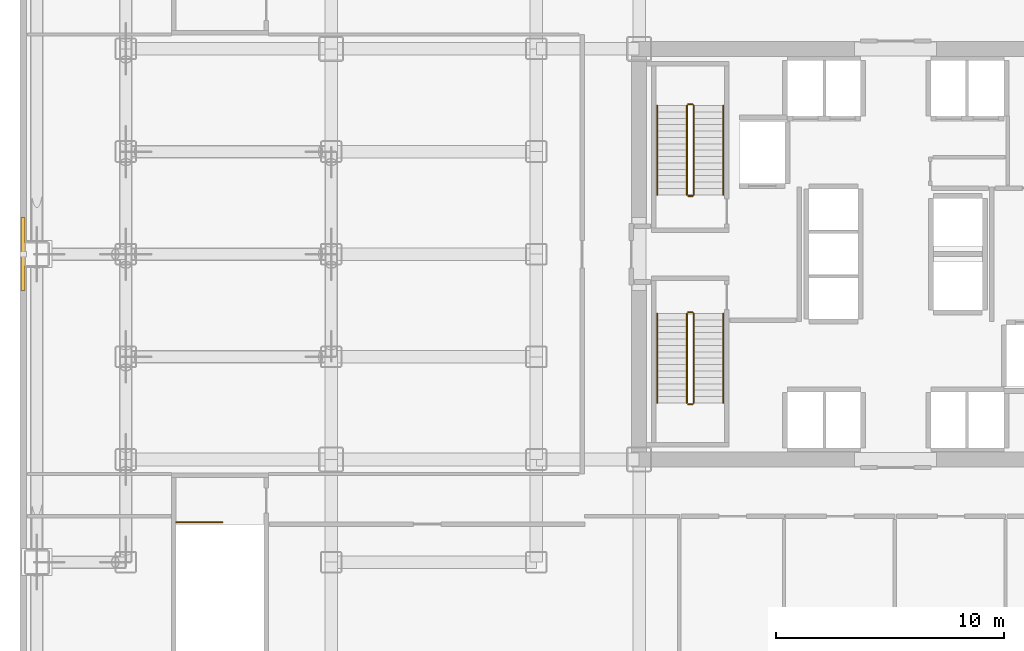
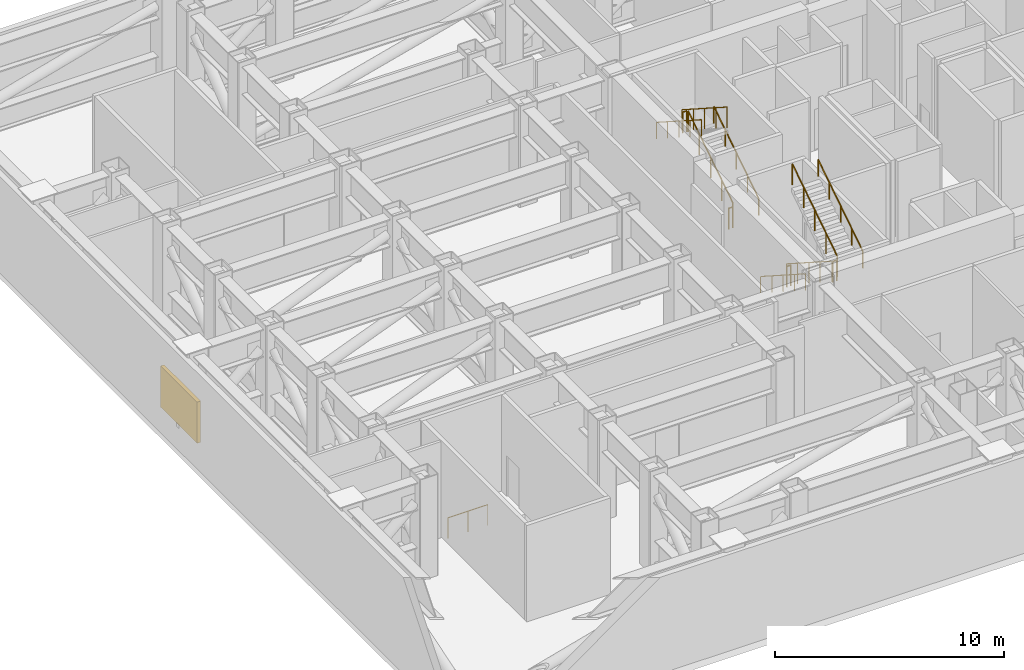
# One storey, part 15 of 17: 13 railings, 1 shading device.
"""IFC4 building model written with IfcOpenShell, lengths in metres."""

import ifcopenshell
import ifcopenshell.guid

model = None  # the IFC model being written
_history = None  # IfcOwnerHistory: only IFC2X3 demands one
_inside = {}  # id of a spatial element -> (the spatial element, [elements in it])
_under = {}  # id of a project, library or spatial element -> (it, [spatial elements below it])
_declared = {}  # id of a project -> (the project, [libraries it declares])
_typed = {}  # id of a type object -> (the type object, [elements of that type])
_made_of = {}  # id of a material, layer set ... -> (it, [elements and type objects made of it])


def new_model(schema):
    """Start an empty IFC model of exactly this schema.

    Asked for "IFC4X3", IfcOpenShell would pick the latest addendum, in which some entities
    have other attributes; the version numbers below select the first issue.
    IFC2X3 requires an IfcOwnerHistory on every rooted entity: one is made here for all.
    """
    global model, _history
    if schema == "IFC4X3":
        model = ifcopenshell.file(schema_version=(4, 3, 0, 0))
    else:
        model = ifcopenshell.file(schema=schema)
    _inside.clear()
    _under.clear()
    _declared.clear()
    _typed.clear()
    _made_of.clear()
    _history = None
    if model.schema == "IFC2X3":
        org = make("IfcOrganization", Name="unknown")
        user = make(
            "IfcPersonAndOrganization",
            ThePerson=make("IfcPerson", FamilyName="unknown"),
            TheOrganization=org,
        )
        app = make(
            "IfcApplication",
            ApplicationDeveloper=org,
            Version="unknown",
            ApplicationFullName="unknown",
            ApplicationIdentifier="unknown",
        )
        _history = make(
            "IfcOwnerHistory",
            OwningUser=user,
            OwningApplication=app,
            ChangeAction="ADDED",
            CreationDate=0,
        )
    return model


def make(cls, **values):
    """One entity of the class cls with the attributes given. An attribute that is None is left unset."""
    return model.create_entity(
        cls, **{name: value for name, value in values.items() if value is not None}
    )


def rooted(cls, **values):
    """An entity with a GlobalId (a new one), such as an element, a storey or a relation."""
    return make(cls, GlobalId=ifcopenshell.guid.new(), OwnerHistory=_history, **values)


def si_unit(unit_type, name, prefix=None):
    """IfcSIUnit, for example si_unit("LENGTHUNIT", "METRE", prefix="MILLI")."""
    return make("IfcSIUnit", UnitType=unit_type, Prefix=prefix, Name=name)


def assignment(units):
    """IfcUnitAssignment: the units of a project."""
    return None if units is None else make("IfcUnitAssignment", Units=units)


def point(xyz):
    """IfcCartesianPoint."""
    return None if xyz is None else make("IfcCartesianPoint", Coordinates=xyz)


def direction(xyz):
    """IfcDirection."""
    return None if xyz is None else make("IfcDirection", DirectionRatios=xyz)


def frame(location, z_axis=None, x_axis=None):
    """IfcAxis2Placement3D, a coordinate frame: its origin and axes. An axis left out is left unset."""
    return make(
        "IfcAxis2Placement3D",
        Location=point(location),
        Axis=direction(z_axis),
        RefDirection=direction(x_axis),
    )


def frame_2d(location, x_axis=None):
    """IfcAxis2Placement2D, a coordinate frame in the plane: its origin and x axis."""
    return make(
        "IfcAxis2Placement2D", Location=point(location), RefDirection=direction(x_axis)
    )


def origin():
    """The frame at (0, 0, 0) with its axes left unset."""
    return frame((0.0, 0.0, 0.0))


def origin_2d():
    """The frame at (0, 0) in the plane with its x axis left unset."""
    return frame_2d((0.0, 0.0))


def place(relative_to, where):
    """IfcLocalPlacement: puts the frame where relative to a parent placement (None: the world)."""
    return make(
        "IfcLocalPlacement", PlacementRelTo=relative_to, RelativePlacement=where
    )


def context(
    kind, dimensions, precision=None, world=None, true_north=None, identifier=None
):
    """IfcGeometricRepresentationContext, for example the 3D "Model" context."""
    return make(
        "IfcGeometricRepresentationContext",
        ContextIdentifier=identifier,
        ContextType=kind,
        CoordinateSpaceDimension=dimensions,
        Precision=precision,
        WorldCoordinateSystem=world,
        TrueNorth=true_north,
    )


def subcontext(parent, identifier, kind, view, scale=None):
    """IfcGeometricRepresentationSubContext, for example "Body" below "Model"."""
    return make(
        "IfcGeometricRepresentationSubContext",
        ContextIdentifier=identifier,
        ContextType=kind,
        ParentContext=parent,
        TargetScale=scale,
        TargetView=view,
    )


def project(units=None, contexts=None):
    """IfcProject with its units and contexts."""
    return rooted(
        "IfcProject",
        Name="project",
        RepresentationContexts=contexts,
        UnitsInContext=assignment(units),
    )


def spatial(cls, under=None, at=None, **own):
    """A site, building, storey or space (cls), placed at a placement, below another one or the project."""
    s = rooted(cls, ObjectPlacement=at, **own)
    if under is not None:
        _under.setdefault(under.id(), (under, []))[1].append(s)
    return s


def profile(cls, at=None, kind="AREA", **sizes):
    """A parametric profile (cls). Its sizes go by their IFC names, for example OverallWidth=200.0."""
    return make(cls, ProfileType=kind, Position=at, **sizes)


def rectangle(**sizes):
    """IfcRectangleProfileDef."""
    return profile("IfcRectangleProfileDef", **sizes)


def circle(**sizes):
    """IfcCircleProfileDef."""
    return profile("IfcCircleProfileDef", **sizes)


def extrude(swept, where, along, depth):
    """IfcExtrudedAreaSolid: the profile swept, set in the frame where, extruded along a direction by depth."""
    return make(
        "IfcExtrudedAreaSolid",
        SweptArea=swept,
        Position=where,
        ExtrudedDirection=direction(along),
        Depth=depth,
    )


def shape(context_of_items, identifier, shape_type, items):
    """IfcShapeRepresentation: the items that make up one representation, for example the "Body"."""
    return make(
        "IfcShapeRepresentation",
        ContextOfItems=context_of_items,
        RepresentationIdentifier=identifier,
        RepresentationType=shape_type,
        Items=items,
    )


def source(mapping_origin, context_of_items, identifier, shape_type, items):
    """IfcRepresentationMap: a shape defined once, which mapped items show again and again."""
    return make(
        "IfcRepresentationMap",
        MappingOrigin=mapping_origin,
        MappedRepresentation=shape(context_of_items, identifier, shape_type, items),
    )


def transform(
    local_origin,
    x_axis=None,
    y_axis=None,
    z_axis=None,
    scale=None,
    scale2=None,
    scale3=None,
    uniform=True,
):
    """IfcCartesianTransformationOperator3D, or its non-uniform kind. x_axis, y_axis, z_axis: its Axis1, 2, 3."""
    if uniform:
        return make(
            "IfcCartesianTransformationOperator3D",
            Axis1=direction(x_axis),
            Axis2=direction(y_axis),
            LocalOrigin=point(local_origin),
            Scale=scale,
            Axis3=direction(z_axis),
        )
    return make(
        "IfcCartesianTransformationOperator3DnonUniform",
        Axis1=direction(x_axis),
        Axis2=direction(y_axis),
        LocalOrigin=point(local_origin),
        Scale=scale,
        Axis3=direction(z_axis),
        Scale2=scale2,
        Scale3=scale3,
    )


def mapped(mapping_source, mapping_target):
    """IfcMappedItem: shows the shape of a source again, moved by a transform."""
    return make(
        "IfcMappedItem", MappingSource=mapping_source, MappingTarget=mapping_target
    )


def material(Name=None, Category=None):
    """IfcMaterial."""
    return make("IfcMaterial", Name=Name, Category=Category)


def made_of(thing, what):
    """Note that an element or type object is made of a material, layer set ...; save() writes the relation."""
    if what is not None:
        _made_of.setdefault(what.id(), (what, []))[1].append(thing)
    return thing


def type_object(cls, material=None, **own):
    """A type object (cls), such as IfcWallType, which elements share."""
    return made_of(rooted(cls, **own), material)


def element(
    cls,
    number,
    at=None,
    inside=None,
    cuts=None,
    type_object=None,
    material=None,
    context=None,
    identifier="Body",
    shape_type=None,
    held_by="IfcProductDefinitionShape",
    body=None,
    shapes=None,
    **own,
):
    """One element of the class cls, such as IfcWall. Its Tag is "e" and its number.

    at: its placement. inside: the storey or other place that contains it. cuts: it is an
    opening in that element (IfcRelVoidsElement). A single representation is given by context,
    identifier, shape_type and body (its items); several are given by shapes. held_by: the class
    of the entity that holds the representations. save() writes the other relations.
    """
    e = rooted(cls, Tag="e%d" % number, ObjectPlacement=at, **own)
    if body is not None:
        shapes = [shape(context, identifier, shape_type, body)]
    if shapes is not None:
        e.Representation = make(held_by, Representations=shapes)
    if inside is not None:
        _inside.setdefault(inside.id(), (inside, []))[1].append(e)
    if cuts is not None:
        rooted(
            "IfcRelVoidsElement", RelatingBuildingElement=cuts, RelatedOpeningElement=e
        )
    if type_object is not None:
        _typed.setdefault(type_object.id(), (type_object, []))[1].append(e)
    return made_of(e, material)


def aggregate(whole, parts):
    """IfcRelAggregates: a whole, such as a stair, and the parts it consists of."""
    return rooted("IfcRelAggregates", RelatingObject=whole, RelatedObjects=parts)


def save(model, path):
    """Write the relations noted so far, then the file.

    IfcRelAggregates (storeys below a building ...), IfcRelContainedInSpatialStructure (elements
    in a storey), IfcRelDefinesByType, IfcRelAssociatesMaterial and IfcRelDeclares: one each for
    every whole, place, type object, material and project.
    """
    for whole, parts in _under.values():
        aggregate(whole, parts)
    for where, things in _inside.values():
        rooted(
            "IfcRelContainedInSpatialStructure",
            RelatedElements=things,
            RelatingStructure=where,
        )
    for kind, things in _typed.values():
        rooted("IfcRelDefinesByType", RelatedObjects=things, RelatingType=kind)
    for what, things in _made_of.values():
        rooted("IfcRelAssociatesMaterial", RelatedObjects=things, RelatingMaterial=what)
    for by, libraries in _declared.values():
        rooted("IfcRelDeclares", RelatingContext=by, RelatedDefinitions=libraries)
    model.write(path)


model = new_model("IFC4")

# Units and contexts
model_context = context("Model", 3, precision=1e-05, world=origin(), true_north=direction((0.0, 1.0)))
body_context = subcontext(model_context, "Body", "Model", "MODEL_VIEW")
ifc_project = project(units=[si_unit("LENGTHUNIT", "METRE"), si_unit("AREAUNIT", "SQUARE_METRE"), si_unit("VOLUMEUNIT", "CUBIC_METRE"), si_unit("PLANEANGLEUNIT", "RADIAN"), si_unit("MASSUNIT", "GRAM", prefix="KILO")], contexts=[model_context])

# Site, building, storey
site_placement = place(None, origin())
site = spatial("IfcSite", under=ifc_project, at=site_placement, CompositionType="ELEMENT")
building_placement = place(site_placement, origin())
building = spatial("IfcBuilding", under=site, at=building_placement, Name="Nefas-Gora Pilgrimage Tower", CompositionType="ELEMENT")
storey_placement = place(building_placement, frame((0.0, 0.0, 27.60009765625)))
storey = spatial("IfcBuildingStorey", under=building, at=storey_placement, Name="L05", CompositionType="ELEMENT", Elevation=27.60009765625)

# Railings
ifc_material_1 = material(Name="Painted galvanised steel", Category="steel")
railing_type_1 = type_object("IfcRailingType", Name="RLG-STR-GUARD-1100", PredefinedType="GUARDRAIL", material=ifc_material_1)
railing_1_placement = place(storey_placement, frame((-8.85009765625, 2.60009765625, 0.179931640625)))
element("IfcRailing", 1, at=railing_1_placement, inside=storey, type_object=railing_type_1, Name="L05 ST-01 stair guard 1", PredefinedType="GUARDRAIL", context=body_context, shape_type="SweptSolid", body=[
    extrude(circle(Radius=0.02392578125, at=origin_2d()), frame((0.0, 0.0, 1.09619140625), z_axis=(0.0, 0.841171666519, 0.540768182723), x_axis=(-1.0, 0.0, 0.0)), (0.0, 0.0, 1.0), 4.66015625),
    extrude(circle(Radius=0.02099609375, at=origin_2d()), origin(), (0.0, 0.0, 1.0), 1.072021484375),
    extrude(circle(Radius=0.02099609375, at=origin_2d()), frame((0.0, 0.97998046875, 0.6298828125)), (0.0, 0.0, 1.0), 1.072021484375),
    extrude(circle(Radius=0.02099609375, at=origin_2d()), frame((0.0, 1.9599609375, 1.260009765625)), (0.0, 0.0, 1.0), 1.072021484375),
    extrude(circle(Radius=0.02099609375, at=origin_2d()), frame((0.0, 2.93994140625, 1.89013671875)), (0.0, 0.0, 1.0), 1.072021484375),
    extrude(circle(Radius=0.02099609375, at=origin_2d()), frame((0.0, 3.919921875, 2.52001953125)), (0.0, 0.0, 1.0), 1.072021484375),
])
railing_2_placement = place(storey_placement, frame((-8.89990234375, 6.570068359375, 2.699951171875)))
element("IfcRailing", 2, at=railing_2_placement, inside=storey, type_object=railing_type_1, Name="L05 ST-01 stair guard 2", PredefinedType="GUARDRAIL", context=body_context, shape_type="SweptSolid", body=[
    extrude(circle(Radius=0.02392578125, at=origin_2d()), frame((0.0, 0.0, 1.09619140625), z_axis=(-1.0, 0.0, 0.0), x_axis=(0.0, -1.0, 0.0)), (0.0, 0.0, 1.0), 0.2001953125),
    extrude(circle(Radius=0.02099609375, at=origin_2d()), origin(), (0.0, 0.0, 1.0), 1.072021484375),
    extrude(circle(Radius=0.02099609375, at=origin_2d()), frame((-0.2001953125, 0.0, 0.0)), (0.0, 0.0, 1.0), 1.072021484375),
])
railing_3_placement = place(storey_placement, frame((-9.14990234375, 6.52001953125, 2.8798828125)))
element("IfcRailing", 3, at=railing_3_placement, inside=storey, type_object=railing_type_1, Name="L05 ST-01 stair guard 3", PredefinedType="GUARDRAIL", context=body_context, shape_type="SweptSolid", body=[
    extrude(circle(Radius=0.02392578125, at=origin_2d()), frame((0.0, 0.0, 1.09619140625), z_axis=(0.0, -0.841171666519, 0.540768182723), x_axis=(1.0, 0.0, 0.0)), (0.0, 0.0, 1.0), 4.66015625),
    extrude(circle(Radius=0.02099609375, at=origin_2d()), origin(), (0.0, 0.0, 1.0), 1.072021484375),
    extrude(circle(Radius=0.02099609375, at=origin_2d()), frame((0.0, -0.97998046875, 0.6298828125)), (0.0, 0.0, 1.0), 1.072021484375),
    extrude(circle(Radius=0.02099609375, at=origin_2d()), frame((0.0, -1.9599609375, 1.260009765625)), (0.0, 0.0, 1.0), 1.072021484375),
    extrude(circle(Radius=0.02099609375, at=origin_2d()), frame((0.0, -2.93994140625, 1.89013671875)), (0.0, 0.0, 1.0), 1.072021484375),
    extrude(circle(Radius=0.02099609375, at=origin_2d()), frame((0.0, -3.919921875, 2.52001953125)), (0.0, 0.0, 1.0), 1.072021484375),
])
railing_4_placement = place(storey_placement, frame((-8.89990234375, 2.550048828125, 0.0)))
element("IfcRailing", 4, at=railing_4_placement, inside=storey, type_object=railing_type_1, Name="L05 ST-01 stair guard 4", PredefinedType="GUARDRAIL", context=body_context, shape_type="SweptSolid", body=[
    extrude(circle(Radius=0.02392578125, at=origin_2d()), frame((0.0, 0.0, 1.09619140625), z_axis=(-1.0, 0.0, 0.0), x_axis=(0.0, -1.0, 0.0)), (0.0, 0.0, 1.0), 0.2001953125),
    extrude(circle(Radius=0.02099609375, at=origin_2d()), origin(), (0.0, 0.0, 1.0), 1.072021484375),
    extrude(circle(Radius=0.02099609375, at=origin_2d()), frame((-0.2001953125, 0.0, 0.0)), (0.0, 0.0, 1.0), 1.072021484375),
])
railing_5_placement = place(storey_placement, frame((-9.14990234375, -2.60009765625, 0.179931640625)))
element("IfcRailing", 5, at=railing_5_placement, inside=storey, type_object=railing_type_1, Name="L05 ST-03 stair guard 1", PredefinedType="GUARDRAIL", context=body_context, shape_type="SweptSolid", body=[
    extrude(circle(Radius=0.02392578125, at=origin_2d()), frame((0.0, 0.0, 1.09619140625), z_axis=(0.0, -0.841171666519, 0.540768182723), x_axis=(1.0, 0.0, 0.0)), (0.0, 0.0, 1.0), 4.66015625),
    extrude(circle(Radius=0.02099609375, at=origin_2d()), origin(), (0.0, 0.0, 1.0), 1.072021484375),
    extrude(circle(Radius=0.02099609375, at=origin_2d()), frame((0.0, -0.97998046875, 0.6298828125)), (0.0, 0.0, 1.0), 1.072021484375),
    extrude(circle(Radius=0.02099609375, at=origin_2d()), frame((0.0, -1.9599609375, 1.260009765625)), (0.0, 0.0, 1.0), 1.072021484375),
    extrude(circle(Radius=0.02099609375, at=origin_2d()), frame((0.0, -2.93994140625, 1.89013671875)), (0.0, 0.0, 1.0), 1.072021484375),
    extrude(circle(Radius=0.02099609375, at=origin_2d()), frame((0.0, -3.919921875, 2.52001953125)), (0.0, 0.0, 1.0), 1.072021484375),
])
railing_6_placement = place(storey_placement, frame((-9.10009765625, -6.570068359375, 2.699951171875)))
element("IfcRailing", 6, at=railing_6_placement, inside=storey, type_object=railing_type_1, Name="L05 ST-03 stair guard 2", PredefinedType="GUARDRAIL", context=body_context, shape_type="SweptSolid", body=[
    extrude(circle(Radius=0.02392578125, at=origin_2d()), frame((0.0, 0.0, 1.09619140625), z_axis=(1.0, 0.0, 0.0), x_axis=(0.0, 1.0, 0.0)), (0.0, 0.0, 1.0), 0.2001953125),
    extrude(circle(Radius=0.02099609375, at=origin_2d()), origin(), (0.0, 0.0, 1.0), 1.072021484375),
    extrude(circle(Radius=0.02099609375, at=origin_2d()), frame((0.2001953125, 0.0, 0.0)), (0.0, 0.0, 1.0), 1.072021484375),
])
railing_7_placement = place(storey_placement, frame((-8.85009765625, -6.52001953125, 2.8798828125)))
element("IfcRailing", 7, at=railing_7_placement, inside=storey, type_object=railing_type_1, Name="L05 ST-03 stair guard 3", PredefinedType="GUARDRAIL", context=body_context, shape_type="SweptSolid", body=[
    extrude(circle(Radius=0.02392578125, at=origin_2d()), frame((0.0, 0.0, 1.09619140625), z_axis=(0.0, 0.841171666519, 0.540768182723), x_axis=(-1.0, 0.0, 0.0)), (0.0, 0.0, 1.0), 4.66015625),
    extrude(circle(Radius=0.02099609375, at=origin_2d()), origin(), (0.0, 0.0, 1.0), 1.072021484375),
    extrude(circle(Radius=0.02099609375, at=origin_2d()), frame((0.0, 0.97998046875, 0.6298828125)), (0.0, 0.0, 1.0), 1.072021484375),
    extrude(circle(Radius=0.02099609375, at=origin_2d()), frame((0.0, 1.9599609375, 1.260009765625)), (0.0, 0.0, 1.0), 1.072021484375),
    extrude(circle(Radius=0.02099609375, at=origin_2d()), frame((0.0, 2.93994140625, 1.89013671875)), (0.0, 0.0, 1.0), 1.072021484375),
    extrude(circle(Radius=0.02099609375, at=origin_2d()), frame((0.0, 3.919921875, 2.52001953125)), (0.0, 0.0, 1.0), 1.072021484375),
])
railing_8_placement = place(storey_placement, frame((-9.10009765625, -2.550048828125, 0.0)))
element("IfcRailing", 8, at=railing_8_placement, inside=storey, type_object=railing_type_1, Name="L05 ST-03 stair guard 4", PredefinedType="GUARDRAIL", context=body_context, shape_type="SweptSolid", body=[
    extrude(circle(Radius=0.02392578125, at=origin_2d()), frame((0.0, 0.0, 1.09619140625), z_axis=(1.0, 0.0, 0.0), x_axis=(0.0, 1.0, 0.0)), (0.0, 0.0, 1.0), 0.2001953125),
    extrude(circle(Radius=0.02099609375, at=origin_2d()), origin(), (0.0, 0.0, 1.0), 1.072021484375),
    extrude(circle(Radius=0.02099609375, at=origin_2d()), frame((0.2001953125, 0.0, 0.0)), (0.0, 0.0, 1.0), 1.072021484375),
])
railing_9_placement = place(storey_placement, frame((-31.5400390625, -11.75, 0.0)))
element("IfcRailing", 9, at=railing_9_placement, inside=storey, type_object=railing_type_1, Name="L05 ST-05 top well guard 1", PredefinedType="GUARDRAIL", context=body_context, shape_type="SweptSolid", body=[
    extrude(circle(Radius=0.02392578125, at=origin_2d()), frame((0.0, 0.0, 1.09619140625), z_axis=(1.0, 0.0, 0.0), x_axis=(0.0, 1.0, 0.0)), (0.0, 0.0, 1.0), 2.02001953125),
    extrude(circle(Radius=0.02099609375, at=origin_2d()), origin(), (0.0, 0.0, 1.0), 1.072021484375),
    extrude(circle(Radius=0.02099609375, at=origin_2d()), frame((1.010009765625, 0.0, 0.0)), (0.0, 0.0, 1.0), 1.072021484375),
    extrude(circle(Radius=0.02099609375, at=origin_2d()), frame((2.02001953125, 0.0, 0.0)), (0.0, 0.0, 1.0), 1.072021484375),
])
ifc_material_2 = material(Name="Brushed stainless steel", Category="steel")
railing_type_2 = type_object("IfcRailingType", Name="RLG-STR-HAND-900", PredefinedType="HANDRAIL", material=ifc_material_2)
railing_10_placement = place(storey_placement, frame((-7.550048828125, 2.60009765625, 0.179931640625)))
element("IfcRailing", 10, at=railing_10_placement, inside=storey, type_object=railing_type_2, Name="L05 ST-01 stair handrail 1", PredefinedType="HANDRAIL", context=body_context, shape_type="SweptSolid", body=[
    extrude(circle(Radius=0.02392578125, at=origin_2d()), frame((0.0, 0.0, 0.8759765625), z_axis=(0.0, 0.841171666519, 0.540768182723), x_axis=(-1.0, 0.0, 0.0)), (0.0, 0.0, 1.0), 4.66015625),
    extrude(circle(Radius=0.02099609375, at=origin_2d()), origin(), (0.0, 0.0, 1.0), 0.851806640625),
    extrude(circle(Radius=0.02099609375, at=origin_2d()), frame((0.0, 0.97998046875, 0.6298828125)), (0.0, 0.0, 1.0), 0.851806640625),
    extrude(circle(Radius=0.02099609375, at=origin_2d()), frame((0.0, 1.9599609375, 1.260009765625)), (0.0, 0.0, 1.0), 0.851806640625),
    extrude(circle(Radius=0.02099609375, at=origin_2d()), frame((0.0, 2.93994140625, 1.89013671875)), (0.0, 0.0, 1.0), 0.851806640625),
    extrude(circle(Radius=0.02099609375, at=origin_2d()), frame((0.0, 3.919921875, 2.52001953125)), (0.0, 0.0, 1.0), 0.851806640625),
])
for number, where, name in (
    (11, (-10.449951171875, 6.52001953125, 2.8798828125), "L05 ST-01 stair handrail 2"),
    (12, (-10.449951171875, -2.60009765625, 0.179931640625), "L05 ST-03 stair handrail 1"),
):
    element("IfcRailing", number, at=place(storey_placement, frame(where)), inside=storey, type_object=railing_type_2, Name=name, PredefinedType="HANDRAIL", context=body_context, shape_type="SweptSolid", body=[
        extrude(circle(Radius=0.02392578125, at=origin_2d()), frame((0.0, 0.0, 0.8759765625), z_axis=(0.0, -0.841171666519, 0.540768182723), x_axis=(1.0, 0.0, 0.0)), (0.0, 0.0, 1.0), 4.66015625),
        extrude(circle(Radius=0.02099609375, at=origin_2d()), origin(), (0.0, 0.0, 1.0), 0.851806640625),
        extrude(circle(Radius=0.02099609375, at=origin_2d()), frame((0.0, -0.97998046875, 0.6298828125)), (0.0, 0.0, 1.0), 0.851806640625),
        extrude(circle(Radius=0.02099609375, at=origin_2d()), frame((0.0, -1.9599609375, 1.260009765625)), (0.0, 0.0, 1.0), 0.851806640625),
        extrude(circle(Radius=0.02099609375, at=origin_2d()), frame((0.0, -2.93994140625, 1.89013671875)), (0.0, 0.0, 1.0), 0.851806640625),
        extrude(circle(Radius=0.02099609375, at=origin_2d()), frame((0.0, -3.919921875, 2.52001953125)), (0.0, 0.0, 1.0), 0.851806640625),
    ])
railing_11_placement = place(storey_placement, frame((-7.550048828125, -6.52001953125, 2.8798828125)))
element("IfcRailing", 13, at=railing_11_placement, inside=storey, type_object=railing_type_2, Name="L05 ST-03 stair handrail 2", PredefinedType="HANDRAIL", context=body_context, shape_type="SweptSolid", body=[
    extrude(circle(Radius=0.02392578125, at=origin_2d()), frame((0.0, 0.0, 0.8759765625), z_axis=(0.0, 0.841171666519, 0.540768182723), x_axis=(-1.0, 0.0, 0.0)), (0.0, 0.0, 1.0), 4.66015625),
    extrude(circle(Radius=0.02099609375, at=origin_2d()), origin(), (0.0, 0.0, 1.0), 0.851806640625),
    extrude(circle(Radius=0.02099609375, at=origin_2d()), frame((0.0, 0.97998046875, 0.6298828125)), (0.0, 0.0, 1.0), 0.851806640625),
    extrude(circle(Radius=0.02099609375, at=origin_2d()), frame((0.0, 1.9599609375, 1.260009765625)), (0.0, 0.0, 1.0), 0.851806640625),
    extrude(circle(Radius=0.02099609375, at=origin_2d()), frame((0.0, 2.93994140625, 1.89013671875)), (0.0, 0.0, 1.0), 0.851806640625),
    extrude(circle(Radius=0.02099609375, at=origin_2d()), frame((0.0, 3.919921875, 2.52001953125)), (0.0, 0.0, 1.0), 0.851806640625),
])

# Shading device
ifc_material_3 = material(Name="Dark-bronze anodised aluminium acoustic storm louvre", Category="aluminium")
shading_device_type = type_object("IfcShadingDeviceType", Name="SHD-LOUVRE-JAL", PredefinedType="JALOUSIE", material=ifc_material_3)
shared_shape = source(origin(), body_context, "Body", "SweptSolid", [
    extrude(rectangle(XDim=3.199951171875, YDim=0.179931640625, at=origin_2d()), origin(), (0.0, 0.0, 1.0), 2.199951171875),
])
shading_device_placement = place(storey_placement, frame((-38.25, 0.0, 1.2998046875), z_axis=(0.0, 0.0, 1.0), x_axis=(0.0, -1.0, 0.0)))
element("IfcShadingDevice", 14, at=shading_device_placement, inside=storey, type_object=shading_device_type, Name="L05 Transfer Plant Storm Louvre 3", PredefinedType="JALOUSIE", context=body_context, shape_type="MappedRepresentation", body=[
    mapped(shared_shape, transform((0.0, 0.0, 0.0), x_axis=(1.0, 0.0, 0.0), y_axis=(0.0, 1.0, 0.0), z_axis=(0.0, 0.0, 1.0), scale=1.0)),
])

save(model, "model.ifc")
